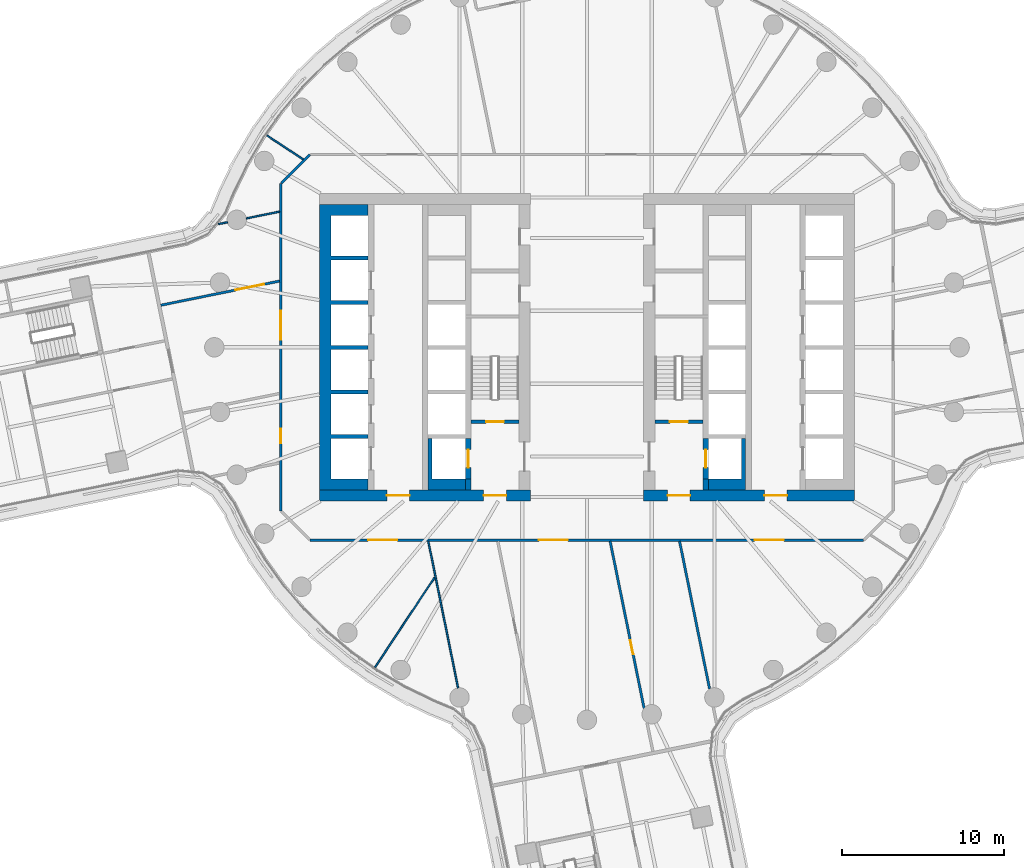
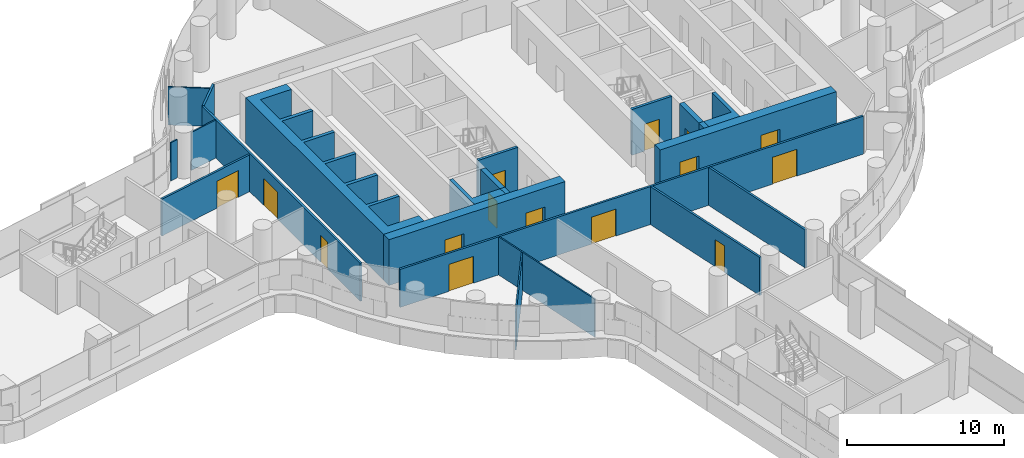
# One storey, part 19 of 31: 22 walls, 15 doors, 15 openings.
"""IFC4 building model written with IfcOpenShell, lengths in metres."""

from ifc_helpers import new_model, si_unit, direction, frame, frame_2d, origin, place, context, subcontext, project, spatial, polyline, rectangle, outline, extrude, material, layer, layer_set, type_object, element, fill, save


model = new_model("IFC4")

# Units and contexts
model_context = context("Model", 3, precision=1e-05, world=origin(), true_north=direction((0.0, 1.0)))
body_context = subcontext(model_context, "Body", "Model", "MODEL_VIEW")
ifc_project = project(units=[si_unit("LENGTHUNIT", "METRE"), si_unit("AREAUNIT", "SQUARE_METRE"), si_unit("VOLUMEUNIT", "CUBIC_METRE"), si_unit("PLANEANGLEUNIT", "RADIAN"), si_unit("MASSUNIT", "GRAM", prefix="KILO")], contexts=[model_context])

# Site, building, storey
site_placement = place(None, origin())
site = spatial("IfcSite", under=ifc_project, at=site_placement, CompositionType="ELEMENT")
building_placement = place(site_placement, origin())
building = spatial("IfcBuilding", under=site, at=building_placement, Name="Tamarind Cross Interchange Tower", CompositionType="ELEMENT")
storey_placement = place(building_placement, frame((0.0, 0.0, 75.25)))
storey = spatial("IfcBuildingStorey", under=building, at=storey_placement, Name="L17", CompositionType="ELEMENT", Elevation=75.25)

# Wall, openings, doors
ifc_material_1 = material(Name="Concrete C80", Category="concrete")
ifc_layer_1 = layer(ifc_material_1, 0.699951171875)
ifc_layer_set_1 = layer_set([ifc_layer_1], Name="Concrete C80")
wall_type_1 = type_object("IfcWallType", Name="Core wall 700 mm Concrete C80", PredefinedType="SHEAR", material=ifc_layer_set_1)
wall_1_placement = place(storey_placement, frame((-16.5, -9.14990234375, 0.0), z_axis=(0.0, 0.0, 1.0), x_axis=(1.0, 0.0, 0.0)))
wall_1 = element("IfcWall", 1, at=wall_1_placement, inside=storey, type_object=wall_type_1, Name="Core wall CWL-L17-W-S", PredefinedType="SHEAR", context=body_context, shape_type="SweptSolid", body=[
    extrude(rectangle(XDim=13.0, YDim=0.699951171875, at=frame_2d((6.5, 0.0))), origin(), (0.0, 0.0, 1.0), 3.570068359375),
])
opening_1_placement = place(wall_1_placement, frame((4.14990234375, 0.0, 0.0)))
opening_1 = element("IfcOpeningElement", 2, at=opening_1_placement, cuts=wall_1, Name="Opening DCW1", PredefinedType="OPENING", context=body_context, shape_type="SweptSolid", body=[
    extrude(rectangle(XDim=1.39990234375, YDim=2.10009765625, at=frame_2d((0.699951171875, 1.050048828125))), frame((0.0, 0.35986328125, 0.0), z_axis=(0.0, -1.0, 0.0), x_axis=(1.0, 0.0, 0.0)), (0.0, 0.0, 1.0), 0.719970703125),
])
opening_2_placement = place(wall_1_placement, frame((10.125, 0.0, 0.0)))
opening_2 = element("IfcOpeningElement", 3, at=opening_2_placement, cuts=wall_1, Name="Opening DCWF", PredefinedType="OPENING", context=body_context, shape_type="SweptSolid", body=[
    extrude(rectangle(XDim=1.39990234375, YDim=2.10009765625, at=frame_2d((0.699951171875, 1.050048828125))), frame((0.0, 0.35986328125, 0.0), z_axis=(0.0, -1.0, 0.0), x_axis=(1.0, 0.0, 0.0)), (0.0, 0.0, 1.0), 0.719970703125),
])
ifc_material_2 = material(Name="Steel, fire-resisting", Category="steel")
door_type_1 = type_object("IfcDoorType", Name="Core fire door 1400 x 2100 FD90", OperationType="SINGLE_SWING_LEFT", PredefinedType="DOOR", material=ifc_material_2)
door_1_placement = place(opening_1_placement, origin())
door_1 = element("IfcDoor", 4, at=door_1_placement, inside=storey, type_object=door_type_1, Name="L17 lift lobby door", OperationType="SINGLE_SWING_LEFT", OverallHeight=2.10009765625, OverallWidth=1.39990234375, PredefinedType="DOOR", context=body_context, shape_type="SweptSolid", body=[
    extrude(rectangle(XDim=1.39990234375, YDim=2.10009765625, at=frame_2d((0.699951171875, 1.050048828125))), frame((0.0, 0.02490234375, 0.0), z_axis=(0.0, -1.0, 0.0), x_axis=(1.0, 0.0, 0.0)), (0.0, 0.0, 1.0), 0.050048828125),
])
fill(opening_1, door_1)
door_2_placement = place(opening_2_placement, origin())
door_2 = element("IfcDoor", 5, at=door_2_placement, inside=storey, type_object=door_type_1, Name="L17 firefighting lobby end door", OperationType="SINGLE_SWING_LEFT", OverallHeight=2.10009765625, OverallWidth=1.39990234375, PredefinedType="DOOR", context=body_context, shape_type="SweptSolid", body=[
    extrude(rectangle(XDim=1.39990234375, YDim=2.10009765625, at=frame_2d((0.699951171875, 1.050048828125))), frame((0.0, 0.02490234375, 0.0), z_axis=(0.0, -1.0, 0.0), x_axis=(1.0, 0.0, 0.0)), (0.0, 0.0, 1.0), 0.050048828125),
])
fill(opening_2, door_2)

# Wall
wall_2_placement = place(storey_placement, origin())
element("IfcWall", 6, at=wall_2_placement, inside=storey, type_object=wall_type_1, Name="Core wall CWL-L17-W-A", PredefinedType="SHEAR", context=body_context, shape_type="SweptSolid", body=[
    extrude(outline(polyline([(-13.5, -8.800048828125), (-13.5, -8.125), (-15.800048828125, -8.125), (-15.800048828125, -5.625), (-13.5, -5.625), (-13.5, -5.375), (-15.800048828125, -5.375), (-15.800048828125, -2.875), (-13.5, -2.875), (-13.5, -2.625), (-15.800048828125, -2.625), (-15.800048828125, -0.125), (-13.5, -0.125), (-13.5, 0.125), (-15.800048828125, 0.125), (-15.800048828125, 2.625), (-13.5, 2.625), (-13.5, 2.875), (-15.800048828125, 2.875), (-15.800048828125, 5.375), (-13.5, 5.375), (-13.5, 5.625), (-15.800048828125, 5.625), (-15.800048828125, 8.125), (-13.5, 8.125), (-13.5, 8.800048828125), (-15.800048828125, 8.800048828125), (-16.5, 8.800048828125), (-16.5, -8.800048828125), (-15.800048828125, -8.800048828125), (-13.5, -8.800048828125)])), origin(), (0.0, 0.0, 1.0), 3.570068359375),
])

# Wall, openings, doors
wall_3_placement = place(storey_placement, frame((16.5, -9.14990234375, 0.0), z_axis=(0.0, 0.0, 1.0), x_axis=(-1.0, 0.0, 0.0)))
wall_3 = element("IfcWall", 7, at=wall_3_placement, inside=storey, type_object=wall_type_1, Name="Core wall CWL-L17-E-S", PredefinedType="SHEAR", context=body_context, shape_type="SweptSolid", body=[
    extrude(rectangle(XDim=13.0, YDim=0.699951171875, at=frame_2d((6.5, 0.0))), origin(), (0.0, 0.0, 1.0), 3.570068359375),
])
opening_3_placement = place(wall_3_placement, frame((4.14990234375, 0.0, 0.0)))
opening_3 = element("IfcOpeningElement", 8, at=opening_3_placement, cuts=wall_3, Name="Opening DCE1", PredefinedType="OPENING", context=body_context, shape_type="SweptSolid", body=[
    extrude(rectangle(XDim=1.39990234375, YDim=2.10009765625, at=frame_2d((0.699951171875, 1.050048828125))), frame((0.0, 0.35986328125, 0.0), z_axis=(0.0, -1.0, 0.0), x_axis=(1.0, 0.0, 0.0)), (0.0, 0.0, 1.0), 0.719970703125),
])
opening_4_placement = place(wall_3_placement, frame((10.125, 0.0, 0.0)))
opening_4 = element("IfcOpeningElement", 9, at=opening_4_placement, cuts=wall_3, Name="Opening DCEF", PredefinedType="OPENING", context=body_context, shape_type="SweptSolid", body=[
    extrude(rectangle(XDim=1.39990234375, YDim=2.10009765625, at=frame_2d((0.699951171875, 1.050048828125))), frame((0.0, 0.35986328125, 0.0), z_axis=(0.0, -1.0, 0.0), x_axis=(1.0, 0.0, 0.0)), (0.0, 0.0, 1.0), 0.719970703125),
])
door_3_placement = place(opening_3_placement, origin())
door_3 = element("IfcDoor", 10, at=door_3_placement, inside=storey, type_object=door_type_1, Name="L17 lift lobby door", OperationType="SINGLE_SWING_LEFT", OverallHeight=2.10009765625, OverallWidth=1.39990234375, PredefinedType="DOOR", context=body_context, shape_type="SweptSolid", body=[
    extrude(rectangle(XDim=1.39990234375, YDim=2.10009765625, at=frame_2d((0.699951171875, 1.050048828125))), frame((0.0, 0.02490234375, 0.0), z_axis=(0.0, -1.0, 0.0), x_axis=(1.0, 0.0, 0.0)), (0.0, 0.0, 1.0), 0.050048828125),
])
fill(opening_3, door_3)
door_4_placement = place(opening_4_placement, origin())
door_4 = element("IfcDoor", 11, at=door_4_placement, inside=storey, type_object=door_type_1, Name="L17 firefighting lobby end door", OperationType="SINGLE_SWING_LEFT", OverallHeight=2.10009765625, OverallWidth=1.39990234375, PredefinedType="DOOR", context=body_context, shape_type="SweptSolid", body=[
    extrude(rectangle(XDim=1.39990234375, YDim=2.10009765625, at=frame_2d((0.699951171875, 1.050048828125))), frame((0.0, 0.02490234375, 0.0), z_axis=(0.0, -1.0, 0.0), x_axis=(1.0, 0.0, 0.0)), (0.0, 0.0, 1.0), 0.050048828125),
])
fill(opening_4, door_4)

# Walls
ifc_layer_2 = layer(ifc_material_1, 0.35009765625)
ifc_layer_set_2 = layer_set([ifc_layer_2], Name="Concrete C80")
wall_type_2 = type_object("IfcWallType", Name="Core web wall 350 mm Concrete C80", PredefinedType="SHEAR", material=ifc_layer_set_2)
wall_4_placement = place(storey_placement, origin())
element("IfcWall", 12, at=wall_4_placement, inside=storey, type_object=wall_type_2, Name="Core wall CWL-L17-W-BS", PredefinedType="SHEAR", context=body_context, shape_type="SweptSolid", body=[
    extrude(outline(polyline([(-7.5, -8.125), (-9.550048828125, -8.125), (-9.550048828125, -5.625), (-9.800048828125, -5.625), (-9.800048828125, -8.125), (-9.800048828125, -8.800048828125), (-7.5, -8.800048828125), (-7.5, -8.125)])), origin(), (0.0, 0.0, 1.0), 3.570068359375),
])
wall_5_placement = place(storey_placement, frame((-7.324951171875, -8.800048828125, 0.0), z_axis=(0.0, 0.0, 1.0), x_axis=(0.0, 1.0, 0.0)))
element("IfcWall", 13, at=wall_5_placement, inside=storey, type_object=wall_type_2, Name="Core wall CWL-L17-W-BW", PredefinedType="SHEAR", context=body_context, shape_type="SweptSolid", body=[
    extrude(rectangle(XDim=0.675048828125, YDim=0.35009765625, at=frame_2d((0.33740234375, 0.0))), origin(), (0.0, 0.0, 1.0), 3.570068359375),
])

# Wall, opening, door
wall_6_placement = place(storey_placement, frame((-7.324951171875, -8.125, 0.0), z_axis=(0.0, 0.0, 1.0), x_axis=(0.0, 1.0, 0.0)))
wall_6 = element("IfcWall", 14, at=wall_6_placement, inside=storey, type_object=wall_type_2, Name="Core wall CWL-L17-W-FF", PredefinedType="SHEAR", context=body_context, shape_type="SweptSolid", body=[
    extrude(rectangle(XDim=2.5, YDim=0.35009765625, at=frame_2d((1.25, 0.0))), origin(), (0.0, 0.0, 1.0), 3.570068359375),
])
opening_5_placement = place(wall_6_placement, frame((0.699951171875, 0.0, 0.0)))
opening_5 = element("IfcOpeningElement", 15, at=opening_5_placement, cuts=wall_6, Name="Opening LD7L17", PredefinedType="OPENING", context=body_context, shape_type="SweptSolid", body=[
    extrude(rectangle(XDim=1.10009765625, YDim=2.10009765625, at=frame_2d((0.550048828125, 1.050048828125))), frame((0.0, 0.18505859375, 0.0), z_axis=(0.0, -1.0, 0.0), x_axis=(1.0, 0.0, 0.0)), (0.0, 0.0, 1.0), 0.3701171875),
])
ifc_material_3 = material(Name="Stainless steel panel", Category="steel")
door_type_2 = type_object("IfcDoorType", Name="Lift landing door 1100 x 2100 E 120", OperationType="SLIDING_TO_LEFT", PredefinedType="DOOR", material=ifc_material_3)
door_5_placement = place(opening_5_placement, origin())
door_5 = element("IfcDoor", 16, at=door_5_placement, inside=storey, type_object=door_type_2, Name="L17 landing door LF7", OperationType="SLIDING_TO_LEFT", OverallHeight=2.10009765625, OverallWidth=1.10009765625, PredefinedType="DOOR", context=body_context, shape_type="SweptSolid", body=[
    extrude(rectangle(XDim=1.10009765625, YDim=2.10009765625, at=frame_2d((0.550048828125, 1.050048828125))), frame((0.0, 0.02490234375, 0.0), z_axis=(0.0, -1.0, 0.0), x_axis=(1.0, 0.0, 0.0)), (0.0, 0.0, 1.0), 0.050048828125),
])
fill(opening_5, door_5)

# Walls
wall_7_placement = place(storey_placement, origin())
element("IfcWall", 17, at=wall_7_placement, inside=storey, type_object=wall_type_2, Name="Core wall CWL-L17-E-BS", PredefinedType="SHEAR", context=body_context, shape_type="SweptSolid", body=[
    extrude(outline(polyline([(7.5, -8.125), (7.5, -8.800048828125), (9.800048828125, -8.800048828125), (9.800048828125, -8.125), (9.800048828125, -5.625), (9.550048828125, -5.625), (9.550048828125, -8.125), (7.5, -8.125)])), origin(), (0.0, 0.0, 1.0), 3.570068359375),
])
wall_8_placement = place(storey_placement, frame((7.324951171875, -8.800048828125, 0.0), z_axis=(0.0, 0.0, 1.0), x_axis=(0.0, 1.0, 0.0)))
element("IfcWall", 18, at=wall_8_placement, inside=storey, type_object=wall_type_2, Name="Core wall CWL-L17-E-BW", PredefinedType="SHEAR", context=body_context, shape_type="SweptSolid", body=[
    extrude(rectangle(XDim=0.675048828125, YDim=0.35009765625, at=frame_2d((0.33740234375, 0.0))), origin(), (0.0, 0.0, 1.0), 3.570068359375),
])

# Wall, opening, door
wall_9_placement = place(storey_placement, frame((7.324951171875, -8.125, 0.0), z_axis=(0.0, 0.0, 1.0), x_axis=(0.0, 1.0, 0.0)))
wall_9 = element("IfcWall", 19, at=wall_9_placement, inside=storey, type_object=wall_type_2, Name="Core wall CWL-L17-E-FF", PredefinedType="SHEAR", context=body_context, shape_type="SweptSolid", body=[
    extrude(rectangle(XDim=2.5, YDim=0.35009765625, at=frame_2d((1.25, 0.0))), origin(), (0.0, 0.0, 1.0), 3.570068359375),
])
opening_6_placement = place(wall_9_placement, frame((0.699951171875, 0.0, 0.0)))
opening_6 = element("IfcOpeningElement", 20, at=opening_6_placement, cuts=wall_9, Name="Opening LD19L17", PredefinedType="OPENING", context=body_context, shape_type="SweptSolid", body=[
    extrude(rectangle(XDim=1.10009765625, YDim=2.10009765625, at=frame_2d((0.550048828125, 1.050048828125))), frame((0.0, 0.18505859375, 0.0), z_axis=(0.0, -1.0, 0.0), x_axis=(1.0, 0.0, 0.0)), (0.0, 0.0, 1.0), 0.3701171875),
])
door_6_placement = place(opening_6_placement, origin())
door_6 = element("IfcDoor", 21, at=door_6_placement, inside=storey, type_object=door_type_2, Name="L17 landing door LF19", OperationType="SLIDING_TO_LEFT", OverallHeight=2.10009765625, OverallWidth=1.10009765625, PredefinedType="DOOR", context=body_context, shape_type="SweptSolid", body=[
    extrude(rectangle(XDim=1.10009765625, YDim=2.10009765625, at=frame_2d((0.550048828125, 1.050048828125))), frame((0.0, 0.02490234375, 0.0), z_axis=(0.0, -1.0, 0.0), x_axis=(1.0, 0.0, 0.0)), (0.0, 0.0, 1.0), 0.050048828125),
])
fill(opening_6, door_6)

# Walls
ifc_material_4 = material(Name="Gypsum board partition on steel studs", Category="steel")
ifc_layer_3 = layer(ifc_material_4, 0.10009765625)
ifc_layer_set_3 = layer_set([ifc_layer_3], Name="Gypsum board partition on steel studs")
wall_type_3 = type_object("IfcWallType", Name="Partition 100 mm EI 90", PredefinedType="PARTITIONING", material=ifc_layer_set_3)
wall_10_placement = place(storey_placement, frame((-9.795166015625, -11.968505859375, 0.0), z_axis=(0.0, 0.0, 1.0), x_axis=(0.199208554459, -0.979957117342, 0.0)))
element("IfcWall", 22, at=wall_10_placement, inside=storey, type_object=wall_type_3, Name="Partition L17-006", PredefinedType="PARTITIONING", context=body_context, shape_type="SweptSolid", body=[
    extrude(rectangle(XDim=9.2431640625, YDim=0.10009765625, at=frame_2d((4.62158203125, 0.0))), origin(), (0.0, 0.0, 1.0), 2.969970703125),
])
wall_11_placement = place(storey_placement, frame((-19.74951171875, 13.07568359375, 0.0), z_axis=(0.0, 0.0, 1.0), x_axis=(0.833829046668, -0.552022753999, 0.0)))
element("IfcWall", 23, at=wall_11_placement, inside=storey, type_object=wall_type_3, Name="Partition L17-029", PredefinedType="PARTITIONING", context=body_context, shape_type="SweptSolid", body=[
    extrude(rectangle(XDim=2.67529296875, YDim=0.10009765625, at=frame_2d((1.337646484375, 0.0))), origin(), (0.0, 0.0, 1.0), 2.969970703125),
])
wall_12_placement = place(storey_placement, frame((-22.751220703125, 7.603271484375, 0.0), z_axis=(0.0, 0.0, 1.0), x_axis=(0.980025828953, 0.1988702456, 0.0)))
element("IfcWall", 24, at=wall_12_placement, inside=storey, type_object=wall_type_3, Name="Partition L17-038", PredefinedType="PARTITIONING", context=body_context, shape_type="SweptSolid", body=[
    extrude(rectangle(XDim=0.579345703125, YDim=0.10009765625, at=frame_2d((0.28955078125, 0.0))), origin(), (0.0, 0.0, 1.0), 2.969970703125),
])
wall_13_placement = place(storey_placement, frame((-21.0263671875, 7.953857421875, 0.0), z_axis=(0.0, 0.0, 1.0), x_axis=(0.979967824394, 0.19915587652, 0.0)))
element("IfcWall", 25, at=wall_13_placement, inside=storey, type_object=wall_type_3, Name="Partition L17-039", PredefinedType="PARTITIONING", context=body_context, shape_type="SweptSolid", body=[
    extrude(rectangle(XDim=2.099853515625, YDim=0.10009765625, at=frame_2d((1.0498046875, 0.0))), origin(), (0.0, 0.0, 1.0), 2.969970703125),
])
wall_14_placement = place(storey_placement, frame((-13.07568359375, -19.74951171875, 0.0), z_axis=(0.0, 0.0, 1.0), x_axis=(0.552134654266, 0.833754954144, 0.0)))
element("IfcWall", 26, at=wall_14_placement, inside=storey, type_object=wall_type_3, Name="Partition L17-070", PredefinedType="PARTITIONING", context=body_context, shape_type="SweptSolid", body=[
    extrude(rectangle(XDim=6.638916015625, YDim=0.10009765625, at=frame_2d((3.3193359375, 0.0))), origin(), (0.0, 0.0, 1.0), 2.969970703125),
])

# Wall, opening, door
ifc_layer_4 = layer(ifc_material_4, 0.14990234375)
ifc_layer_set_4 = layer_set([ifc_layer_4], Name="Gypsum board partition on steel studs")
wall_type_4 = type_object("IfcWallType", Name="Partition 150 mm EI 120", PredefinedType="PARTITIONING", material=ifc_layer_set_4)
wall_15_placement = place(storey_placement, frame((1.430908203125, -11.973388671875, 0.0), z_axis=(0.0, 0.0, 1.0), x_axis=(0.199256654884, -0.979947338118, 0.0)))
wall_15 = element("IfcWall", 27, at=wall_15_placement, inside=storey, type_object=wall_type_4, Name="Partition L17-016", PredefinedType="PARTITIONING", context=body_context, shape_type="SweptSolid", body=[
    extrude(rectangle(XDim=10.521240234375, YDim=0.14990234375, at=frame_2d((5.2607421875, 0.0))), origin(), (0.0, 0.0, 1.0), 2.969970703125),
])
opening_7_placement = place(wall_15_placement, frame((6.22509765625, 0.0, 0.0)))
opening_7 = element("IfcOpeningElement", 28, at=opening_7_placement, cuts=wall_15, Name="Opening D12", PredefinedType="OPENING", context=body_context, shape_type="SweptSolid", body=[
    extrude(rectangle(XDim=0.89990234375, YDim=2.10009765625, at=frame_2d((0.449951171875, 1.050048828125))), frame((0.0, 0.0849609375, 0.0), z_axis=(0.0, -1.0, 0.0), x_axis=(1.0, 0.0, 0.0)), (0.0, 0.0, 1.0), 0.169921875),
])
ifc_material_5 = material(Name="Fire-resisting door set")
door_type_3 = type_object("IfcDoorType", Name="Interior door 900 x 2100 FD60S", OperationType="SINGLE_SWING_LEFT", PredefinedType="DOOR", material=ifc_material_5)
door_7_placement = place(opening_7_placement, origin())
door_7 = element("IfcDoor", 29, at=door_7_placement, inside=storey, type_object=door_type_3, Name="Door D12", OperationType="SINGLE_SWING_LEFT", OverallHeight=2.10009765625, OverallWidth=0.89990234375, PredefinedType="DOOR", context=body_context, shape_type="SweptSolid", body=[
    extrude(rectangle(XDim=0.89990234375, YDim=2.10009765625, at=frame_2d((0.449951171875, 1.050048828125))), frame((0.0, 0.02490234375, 0.0), z_axis=(0.0, -1.0, 0.0), x_axis=(1.0, 0.0, 0.0)), (0.0, 0.0, 1.0), 0.050048828125),
])
fill(opening_7, door_7)

# Wall
wall_16_placement = place(storey_placement, frame((5.716796875, -11.973388671875, 0.0), z_axis=(0.0, 0.0, 1.0), x_axis=(0.199292052779, -0.979940139855, 0.0)))
element("IfcWall", 30, at=wall_16_placement, inside=storey, type_object=wall_type_4, Name="Partition L17-020", PredefinedType="PARTITIONING", context=body_context, shape_type="SweptSolid", body=[
    extrude(rectangle(XDim=9.295654296875, YDim=0.14990234375, at=frame_2d((4.64794921875, 0.0))), origin(), (0.0, 0.0, 1.0), 2.969970703125),
])

# Wall, openings, doors
wall_17_placement = place(storey_placement, frame((-17.10009765625, -11.89990234375, 0.0), z_axis=(0.0, 0.0, 1.0), x_axis=(1.0, 0.0, 0.0)))
wall_17 = element("IfcWall", 31, at=wall_17_placement, inside=storey, type_object=wall_type_4, Name="Partition L17-031", PredefinedType="PARTITIONING", context=body_context, shape_type="SweptSolid", body=[
    extrude(rectangle(XDim=34.1650390625, YDim=0.14990234375, at=frame_2d((17.08251953125, 0.0))), origin(), (0.0, 0.0, 1.0), 2.969970703125),
])
opening_8_placement = place(wall_17_placement, frame((14.126953125, 0.0, 0.0)))
opening_8 = element("IfcOpeningElement", 32, at=opening_8_placement, cuts=wall_17, Name="Opening D16", PredefinedType="OPENING", context=body_context, shape_type="SweptSolid", body=[
    extrude(rectangle(XDim=1.800048828125, YDim=2.10009765625, at=frame_2d((0.89990234375, 1.050048828125))), frame((0.0, 0.0849609375, 0.0), z_axis=(0.0, -1.0, 0.0), x_axis=(1.0, 0.0, 0.0)), (0.0, 0.0, 1.0), 0.169921875),
])
opening_9_placement = place(wall_17_placement, frame((3.60009765625, 0.0, 0.0)))
opening_9 = element("IfcOpeningElement", 33, at=opening_9_placement, cuts=wall_17, Name="Opening D17", PredefinedType="OPENING", context=body_context, shape_type="SweptSolid", body=[
    extrude(rectangle(XDim=1.800048828125, YDim=2.10009765625, at=frame_2d((0.89990234375, 1.050048828125))), frame((0.0, 0.0849609375, 0.0), z_axis=(0.0, -1.0, 0.0), x_axis=(1.0, 0.0, 0.0)), (0.0, 0.0, 1.0), 0.169921875),
])
opening_10_placement = place(wall_17_placement, frame((27.451904296875, 0.0, 0.0)))
opening_10 = element("IfcOpeningElement", 34, at=opening_10_placement, cuts=wall_17, Name="Opening D18", PredefinedType="OPENING", context=body_context, shape_type="SweptSolid", body=[
    extrude(rectangle(XDim=1.800048828125, YDim=2.10009765625, at=frame_2d((0.89990234375, 1.050048828125))), frame((0.0, 0.0849609375, 0.0), z_axis=(0.0, -1.0, 0.0), x_axis=(1.0, 0.0, 0.0)), (0.0, 0.0, 1.0), 0.169921875),
])
door_type_4 = type_object("IfcDoorType", Name="Interior door 1800 x 2100 FD60S", OperationType="DOUBLE_DOOR_SINGLE_SWING", PredefinedType="DOOR", material=ifc_material_5)
door_8_placement = place(opening_8_placement, origin())
door_8 = element("IfcDoor", 35, at=door_8_placement, inside=storey, type_object=door_type_4, Name="Door D16", OperationType="DOUBLE_DOOR_SINGLE_SWING", OverallHeight=2.10009765625, OverallWidth=1.800048828125, PredefinedType="DOOR", context=body_context, shape_type="SweptSolid", body=[
    extrude(rectangle(XDim=1.800048828125, YDim=2.10009765625, at=frame_2d((0.89990234375, 1.050048828125))), frame((0.0, 0.02490234375, 0.0), z_axis=(0.0, -1.0, 0.0), x_axis=(1.0, 0.0, 0.0)), (0.0, 0.0, 1.0), 0.050048828125),
])
fill(opening_8, door_8)
door_9_placement = place(opening_9_placement, frame((1.800048828125, 0.0, 0.0), z_axis=(0.0, 0.0, 1.0), x_axis=(-1.0, 0.0, 0.0)))
door_9 = element("IfcDoor", 36, at=door_9_placement, inside=storey, type_object=door_type_4, Name="Door D17", OperationType="DOUBLE_DOOR_SINGLE_SWING", OverallHeight=2.10009765625, OverallWidth=1.800048828125, PredefinedType="DOOR", context=body_context, shape_type="SweptSolid", body=[
    extrude(rectangle(XDim=1.800048828125, YDim=2.10009765625, at=frame_2d((0.89990234375, 1.050048828125))), frame((0.0, 0.02490234375, 0.0), z_axis=(0.0, -1.0, 0.0), x_axis=(1.0, 0.0, 0.0)), (0.0, 0.0, 1.0), 0.050048828125),
])
fill(opening_9, door_9)
door_10_placement = place(opening_10_placement, frame((1.800048828125, 0.0, 0.0), z_axis=(0.0, 0.0, 1.0), x_axis=(-1.0, 0.0, 0.0)))
door_10 = element("IfcDoor", 37, at=door_10_placement, inside=storey, type_object=door_type_4, Name="Door D18", OperationType="DOUBLE_DOOR_SINGLE_SWING", OverallHeight=2.10009765625, OverallWidth=1.800048828125, PredefinedType="DOOR", context=body_context, shape_type="SweptSolid", body=[
    extrude(rectangle(XDim=1.800048828125, YDim=2.10009765625, at=frame_2d((0.89990234375, 1.050048828125))), frame((0.0, 0.02490234375, 0.0), z_axis=(0.0, -1.0, 0.0), x_axis=(1.0, 0.0, 0.0)), (0.0, 0.0, 1.0), 0.050048828125),
])
fill(opening_10, door_10)

# Wall, opening, door
wall_18_placement = place(storey_placement, frame((-26.302978515625, 2.594970703125, 0.0), z_axis=(0.0, 0.0, 1.0), x_axis=(0.979950490728, 0.19924114967, 0.0)))
wall_18 = element("IfcWall", 38, at=wall_18_placement, inside=storey, type_object=wall_type_4, Name="Partition L17-035", PredefinedType="PARTITIONING", context=body_context, shape_type="SweptSolid", body=[
    extrude(rectangle(XDim=7.4794921875, YDim=0.14990234375, at=frame_2d((3.73974609375, 0.0))), origin(), (0.0, 0.0, 1.0), 2.8701171875),
])
opening_11_placement = place(wall_18_placement, frame((4.699951171875, 0.0, 0.0)))
opening_11 = element("IfcOpeningElement", 39, at=opening_11_placement, cuts=wall_18, Name="Opening D24", PredefinedType="OPENING", context=body_context, shape_type="SweptSolid", body=[
    extrude(rectangle(XDim=1.800048828125, YDim=2.10009765625, at=frame_2d((0.89990234375, 1.050048828125))), frame((0.0, 0.0849609375, 0.0), z_axis=(0.0, -1.0, 0.0), x_axis=(1.0, 0.0, 0.0)), (0.0, 0.0, 1.0), 0.169921875),
])
door_11_placement = place(opening_11_placement, origin())
door_11 = element("IfcDoor", 40, at=door_11_placement, inside=storey, type_object=door_type_4, Name="Door D24", OperationType="DOUBLE_DOOR_SINGLE_SWING", OverallHeight=2.10009765625, OverallWidth=1.800048828125, PredefinedType="DOOR", context=body_context, shape_type="SweptSolid", body=[
    extrude(rectangle(XDim=1.800048828125, YDim=2.10009765625, at=frame_2d((0.89990234375, 1.050048828125))), frame((0.0, 0.02490234375, 0.0), z_axis=(0.0, -1.0, 0.0), x_axis=(1.0, 0.0, 0.0)), (0.0, 0.0, 1.0), 0.050048828125),
])
fill(opening_11, door_11)

# Wall
wall_19_placement = place(storey_placement, frame((-18.87158203125, 10.12841796875, 0.0), z_axis=(0.0, 0.0, 1.0), x_axis=(0.707106781187, 0.707106781187, 0.0)))
element("IfcWall", 41, at=wall_19_placement, inside=storey, type_object=wall_type_4, Name="Partition L17-068", PredefinedType="PARTITIONING", context=body_context, shape_type="SweptSolid", body=[
    extrude(rectangle(XDim=2.50537109375, YDim=0.14990234375, at=frame_2d((1.252685546875, 0.0))), origin(), (0.0, 0.0, 1.0), 2.969970703125),
])

# Wall, openings, doors
wall_20_placement = place(storey_placement, frame((-18.89990234375, -10.10009765625, 0.0), z_axis=(0.0, 0.0, 1.0), x_axis=(0.0, 1.0, 0.0)))
wall_20 = element("IfcWall", 42, at=wall_20_placement, inside=storey, type_object=wall_type_4, Name="Partition L17-072", PredefinedType="PARTITIONING", context=body_context, shape_type="SweptSolid", body=[
    extrude(rectangle(XDim=20.2001953125, YDim=0.14990234375, at=frame_2d((10.10009765625, 0.0))), origin(), (0.0, 0.0, 1.0), 2.969970703125),
])
opening_12_placement = place(wall_20_placement, frame((10.56103515625, 0.0, 0.0)))
opening_12 = element("IfcOpeningElement", 43, at=opening_12_placement, cuts=wall_20, Name="Opening D35", PredefinedType="OPENING", context=body_context, shape_type="SweptSolid", body=[
    extrude(rectangle(XDim=1.800048828125, YDim=2.10009765625, at=frame_2d((0.89990234375, 1.050048828125))), frame((0.0, 0.0849609375, 0.0), z_axis=(0.0, -1.0, 0.0), x_axis=(1.0, 0.0, 0.0)), (0.0, 0.0, 1.0), 0.169921875),
])
opening_13_placement = place(wall_20_placement, frame((4.175048828125, 0.0, 0.0)))
opening_13 = element("IfcOpeningElement", 44, at=opening_13_placement, cuts=wall_20, Name="Opening D36", PredefinedType="OPENING", context=body_context, shape_type="SweptSolid", body=[
    extrude(rectangle(XDim=0.89990234375, YDim=2.10009765625, at=frame_2d((0.449951171875, 1.050048828125))), frame((0.0, 0.0849609375, 0.0), z_axis=(0.0, -1.0, 0.0), x_axis=(1.0, 0.0, 0.0)), (0.0, 0.0, 1.0), 0.169921875),
])
door_12_placement = place(opening_12_placement, frame((1.800048828125, 0.0, 0.0), z_axis=(0.0, 0.0, 1.0), x_axis=(-1.0, 0.0, 0.0)))
door_12 = element("IfcDoor", 45, at=door_12_placement, inside=storey, type_object=door_type_4, Name="Door D35", OperationType="DOUBLE_DOOR_SINGLE_SWING", OverallHeight=2.10009765625, OverallWidth=1.800048828125, PredefinedType="DOOR", context=body_context, shape_type="SweptSolid", body=[
    extrude(rectangle(XDim=1.800048828125, YDim=2.10009765625, at=frame_2d((0.89990234375, 1.050048828125))), frame((0.0, 0.02490234375, 0.0), z_axis=(0.0, -1.0, 0.0), x_axis=(1.0, 0.0, 0.0)), (0.0, 0.0, 1.0), 0.050048828125),
])
fill(opening_12, door_12)
door_13_placement = place(opening_13_placement, origin())
door_13 = element("IfcDoor", 46, at=door_13_placement, inside=storey, type_object=door_type_3, Name="Door D36", OperationType="SINGLE_SWING_RIGHT", OverallHeight=2.10009765625, OverallWidth=0.89990234375, PredefinedType="DOOR", context=body_context, shape_type="SweptSolid", body=[
    extrude(rectangle(XDim=0.89990234375, YDim=2.10009765625, at=frame_2d((0.449951171875, 1.050048828125))), frame((0.0, 0.02490234375, 0.0), z_axis=(0.0, -1.0, 0.0), x_axis=(1.0, 0.0, 0.0)), (0.0, 0.0, 1.0), 0.050048828125),
])
fill(opening_13, door_13)

# Wall, opening, door
ifc_material_6 = material(Name="Concrete C40", Category="concrete")
ifc_layer_5 = layer(ifc_material_6, 0.199951171875)
ifc_layer_set_5 = layer_set([ifc_layer_5], Name="Concrete C40")
wall_type_5 = type_object("IfcWallType", Name="Stair shaft wall 200 mm Concrete C40", PredefinedType="SHEAR", material=ifc_layer_set_5)
wall_21_placement = place(storey_placement, frame((-7.14990234375, -4.60009765625, 0.0), z_axis=(0.0, 0.0, 1.0), x_axis=(1.0, 0.0, 0.0)))
wall_21 = element("IfcWall", 47, at=wall_21_placement, inside=storey, type_object=wall_type_5, Name="Core wall CWL-L17-W-SD", PredefinedType="SHEAR", context=body_context, shape_type="SweptSolid", body=[
    extrude(rectangle(XDim=2.949951171875, YDim=0.199951171875, at=frame_2d((1.47509765625, 0.0))), origin(), (0.0, 0.0, 1.0), 3.570068359375),
])
opening_14_placement = place(wall_21_placement, frame((0.925048828125, 0.0, 0.0)))
opening_14 = element("IfcOpeningElement", 48, at=opening_14_placement, cuts=wall_21, Name="Opening DCW6", PredefinedType="OPENING", context=body_context, shape_type="SweptSolid", body=[
    extrude(rectangle(XDim=1.10009765625, YDim=2.10009765625, at=frame_2d((0.550048828125, 1.050048828125))), frame((0.0, 0.10986328125, 0.0), z_axis=(0.0, -1.0, 0.0), x_axis=(1.0, 0.0, 0.0)), (0.0, 0.0, 1.0), 0.219970703125),
])
door_type_5 = type_object("IfcDoorType", Name="Core fire door 1100 x 2100 FD90", OperationType="SINGLE_SWING_LEFT", PredefinedType="DOOR", material=ifc_material_2)
door_14_placement = place(opening_14_placement, origin())
door_14 = element("IfcDoor", 49, at=door_14_placement, inside=storey, type_object=door_type_5, Name="L17 stair door", OperationType="SINGLE_SWING_LEFT", OverallHeight=2.10009765625, OverallWidth=1.10009765625, PredefinedType="DOOR", context=body_context, shape_type="SweptSolid", body=[
    extrude(rectangle(XDim=1.10009765625, YDim=2.10009765625, at=frame_2d((0.550048828125, 1.050048828125))), frame((0.0, 0.02490234375, 0.0), z_axis=(0.0, -1.0, 0.0), x_axis=(1.0, 0.0, 0.0)), (0.0, 0.0, 1.0), 0.050048828125),
])
fill(opening_14, door_14)

wall_22_placement = place(storey_placement, frame((7.14990234375, -4.60009765625, 0.0), z_axis=(0.0, 0.0, 1.0), x_axis=(-1.0, 0.0, 0.0)))
wall_22 = element("IfcWall", 50, at=wall_22_placement, inside=storey, type_object=wall_type_5, Name="Core wall CWL-L17-E-SD", PredefinedType="SHEAR", context=body_context, shape_type="SweptSolid", body=[
    extrude(rectangle(XDim=2.949951171875, YDim=0.199951171875, at=frame_2d((1.47509765625, 0.0))), origin(), (0.0, 0.0, 1.0), 3.570068359375),
])
opening_15_placement = place(wall_22_placement, frame((0.925048828125, 0.0, 0.0)))
opening_15 = element("IfcOpeningElement", 51, at=opening_15_placement, cuts=wall_22, Name="Opening DCE6", PredefinedType="OPENING", context=body_context, shape_type="SweptSolid", body=[
    extrude(rectangle(XDim=1.10009765625, YDim=2.10009765625, at=frame_2d((0.550048828125, 1.050048828125))), frame((0.0, 0.10986328125, 0.0), z_axis=(0.0, -1.0, 0.0), x_axis=(1.0, 0.0, 0.0)), (0.0, 0.0, 1.0), 0.219970703125),
])
door_15_placement = place(opening_15_placement, origin())
door_15 = element("IfcDoor", 52, at=door_15_placement, inside=storey, type_object=door_type_5, Name="L17 stair door", OperationType="SINGLE_SWING_LEFT", OverallHeight=2.10009765625, OverallWidth=1.10009765625, PredefinedType="DOOR", context=body_context, shape_type="SweptSolid", body=[
    extrude(rectangle(XDim=1.10009765625, YDim=2.10009765625, at=frame_2d((0.550048828125, 1.050048828125))), frame((0.0, 0.02490234375, 0.0), z_axis=(0.0, -1.0, 0.0), x_axis=(1.0, 0.0, 0.0)), (0.0, 0.0, 1.0), 0.050048828125),
])
fill(opening_15, door_15)

save(model, "model.ifc")
